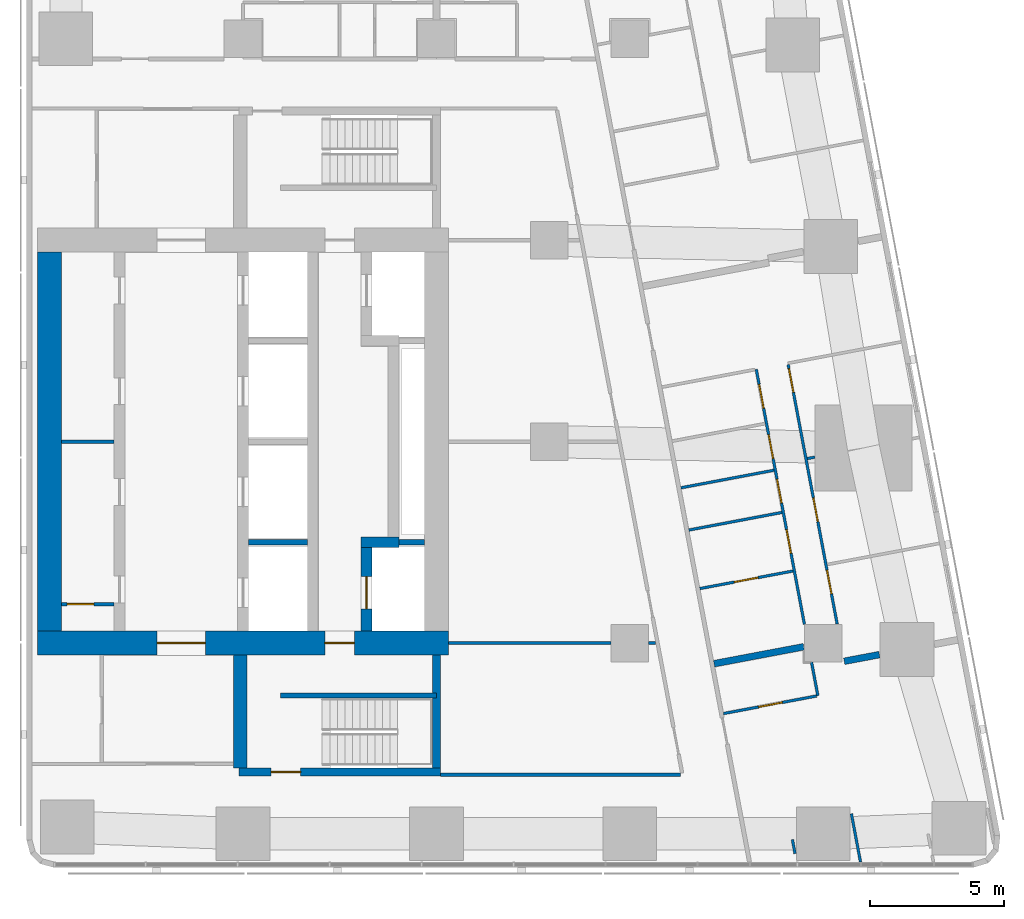
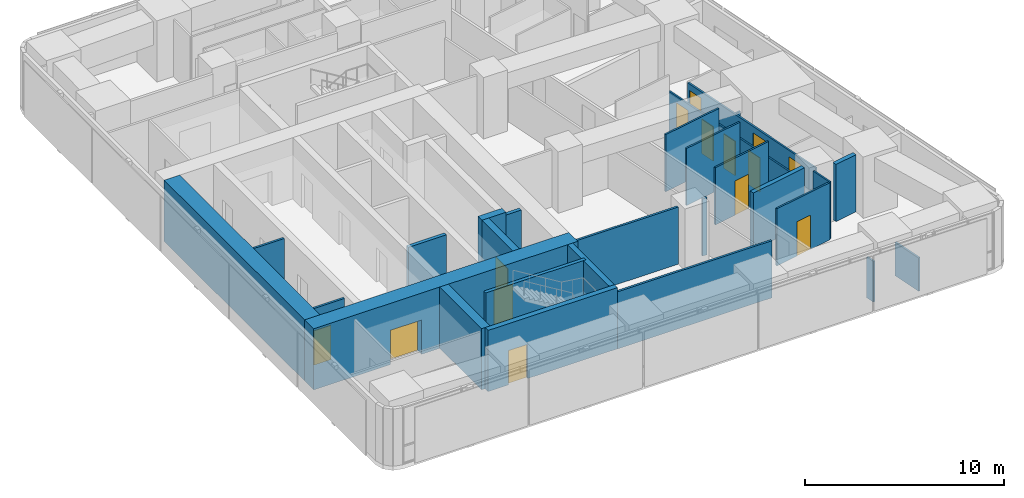
# One storey, part 5 of 11: 27 walls, 14 doors, 14 openings.
"""IFC4 building model written with IfcOpenShell, lengths in metres."""

from ifc_helpers import new_model, si_unit, direction, frame, frame_2d, origin, place, context, subcontext, project, spatial, rectangle, extrude, material, layer, layer_set, type_object, element, fill, save


model = new_model("IFC4")

# Units and contexts
model_context = context("Model", 3, precision=1e-05, world=origin(), true_north=direction((0.0, 1.0)))
body_context = subcontext(model_context, "Body", "Model", "MODEL_VIEW")
ifc_project = project(units=[si_unit("LENGTHUNIT", "METRE"), si_unit("AREAUNIT", "SQUARE_METRE"), si_unit("VOLUMEUNIT", "CUBIC_METRE"), si_unit("PLANEANGLEUNIT", "RADIAN"), si_unit("MASSUNIT", "GRAM", prefix="KILO")], contexts=[model_context])

# Site, building, storey
site_placement = place(None, origin())
site = spatial("IfcSite", under=ifc_project, at=site_placement, CompositionType="ELEMENT")
building_placement = place(site_placement, origin())
building = spatial("IfcBuilding", under=site, at=building_placement, Name="Sheger Commons Tower", CompositionType="ELEMENT")
storey_placement = place(building_placement, frame((0.0, 0.0, 274.10009765625)))
storey = spatial("IfcBuildingStorey", under=building, at=storey_placement, Name="L70", CompositionType="ELEMENT", Elevation=274.10009765625)

# Wall, opening, door
ifc_material_1 = material(Name="Concrete C50/60", Category="concrete")
ifc_layer_1 = layer(ifc_material_1, 0.39990234375)
ifc_layer_set_1 = layer_set([ifc_layer_1], Name="CORE INNER WALL 400")
wall_type_1 = type_object("IfcWallType", Name="CORE INNER WALL 400", PredefinedType="SHEAR", material=ifc_layer_set_1)
wall_1_placement = place(storey_placement, frame((26.199951171875, 15.449951171875, 0.0), z_axis=(0.0, 0.0, 1.0), x_axis=(0.0, 1.0, 0.0)))
wall_1 = element("IfcWall", 1, at=wall_1_placement, inside=storey, type_object=wall_type_1, Name="Core inner wall F L70", PredefinedType="SHEAR", context=body_context, shape_type="SweptSolid", body=[
    extrude(rectangle(XDim=3.10009765625, YDim=0.39990234375, at=frame_2d((1.550048828125, 0.0))), origin(), (0.0, 0.0, 1.0), 3.75),
])
opening_1_placement = place(wall_1_placement, frame((0.824951171875, 0.0, 0.0)))
opening_1 = element("IfcOpeningElement", 2, at=opening_1_placement, cuts=wall_1, Name="Opening LD2", PredefinedType="OPENING", context=body_context, shape_type="SweptSolid", body=[
    extrude(rectangle(XDim=1.199951171875, YDim=2.10009765625, at=frame_2d((0.60009765625, 1.050048828125))), frame((0.0, 0.2099609375, 0.0), z_axis=(0.0, -1.0, 0.0), x_axis=(1.0, 0.0, 0.0)), (0.0, 0.0, 1.0), 0.419921875),
])
ifc_material_2 = material(Name="Steel door set, fire rated", Category="steel")
door_type_1 = type_object("IfcDoorType", Name="FIREFIGHTING LIFT LANDING DOOR 1200x2100", OperationType="DOUBLE_DOOR_SLIDING", PredefinedType="DOOR", material=ifc_material_2)
door_1_placement = place(opening_1_placement, origin())
door_1 = element("IfcDoor", 3, at=door_1_placement, inside=storey, type_object=door_type_1, Name="Lift FL1 landing door", OperationType="DOUBLE_DOOR_SLIDING", OverallHeight=2.10009765625, OverallWidth=1.199951171875, PredefinedType="DOOR", context=body_context, shape_type="SweptSolid", body=[
    extrude(rectangle(XDim=1.199951171875, YDim=2.10009765625, at=frame_2d((0.60009765625, 1.050048828125))), frame((0.0, 0.02490234375, 0.0), z_axis=(0.0, -1.0, 0.0), x_axis=(1.0, 0.0, 0.0)), (0.0, 0.0, 1.0), 0.050048828125),
])
fill(opening_1, door_1)

# Wall
wall_2_placement = place(storey_placement, frame((26.0, 18.75, 0.0), z_axis=(0.0, 0.0, 1.0), x_axis=(1.0, 0.0, 0.0)))
element("IfcWall", 4, at=wall_2_placement, inside=storey, type_object=wall_type_1, Name="Core inner wall F south return L70", PredefinedType="SHEAR", context=body_context, shape_type="SweptSolid", body=[
    extrude(rectangle(XDim=1.39990234375, YDim=0.39990234375, at=frame_2d((0.699951171875, 0.0))), origin(), (0.0, 0.0, 1.0), 3.75),
])

# Wall, openings, doors
ifc_material_3 = material(Name="Concrete C50/60", Category="concrete")
ifc_layer_2 = layer(ifc_material_3, 0.89990234375)
ifc_layer_set_2 = layer_set([ifc_layer_2], Name="CORE WALL 900")
wall_type_2 = type_object("IfcWallType", Name="CORE WALL 900", PredefinedType="SHEAR", material=ifc_layer_set_2)
wall_3_placement = place(storey_placement, frame((13.949951171875, 15.0, 0.0), z_axis=(0.0, 0.0, 1.0), x_axis=(1.0, 0.0, 0.0)))
wall_3 = element("IfcWall", 5, at=wall_3_placement, inside=storey, type_object=wall_type_2, Name="Core wall south L70", PredefinedType="SHEAR", context=body_context, shape_type="SweptSolid", body=[
    extrude(rectangle(XDim=15.300048828125, YDim=0.89990234375, at=frame_2d((7.64990234375, 0.0))), origin(), (0.0, 0.0, 1.0), 3.75),
])
opening_2_placement = place(wall_3_placement, frame((4.449951171875, 0.0, 0.0)))
opening_2 = element("IfcOpeningElement", 6, at=opening_2_placement, cuts=wall_3, Name="Opening D6", PredefinedType="OPENING", context=body_context, shape_type="SweptSolid", body=[
    extrude(rectangle(XDim=1.800048828125, YDim=2.10009765625, at=frame_2d((0.89990234375, 1.050048828125))), frame((0.0, 0.4599609375, 0.0), z_axis=(0.0, -1.0, 0.0), x_axis=(1.0, 0.0, 0.0)), (0.0, 0.0, 1.0), 0.919921875),
])
opening_3_placement = place(wall_3_placement, frame((10.699951171875, 0.0, 0.0)))
opening_3 = element("IfcOpeningElement", 7, at=opening_3_placement, cuts=wall_3, Name="Opening D5", PredefinedType="OPENING", context=body_context, shape_type="SweptSolid", body=[
    extrude(rectangle(XDim=1.10009765625, YDim=2.10009765625, at=frame_2d((0.550048828125, 1.050048828125))), frame((0.0, 0.4599609375, 0.0), z_axis=(0.0, -1.0, 0.0), x_axis=(1.0, 0.0, 0.0)), (0.0, 0.0, 1.0), 0.919921875),
])
ifc_material_4 = material(Name="Steel door set, fire rated", Category="steel")
door_type_2 = type_object("IfcDoorType", Name="LOBBY DOUBLE DOOR 1800x2100", OperationType="DOUBLE_DOOR_SINGLE_SWING", PredefinedType="DOOR", material=ifc_material_4)
door_2_placement = place(opening_2_placement, origin())
door_2 = element("IfcDoor", 8, at=door_2_placement, inside=storey, type_object=door_type_2, Name="Lift lobby door", OperationType="DOUBLE_DOOR_SINGLE_SWING", OverallHeight=2.10009765625, OverallWidth=1.800048828125, PredefinedType="DOOR", context=body_context, shape_type="SweptSolid", body=[
    extrude(rectangle(XDim=1.800048828125, YDim=2.10009765625, at=frame_2d((0.89990234375, 1.050048828125))), frame((0.0, 0.02490234375, 0.0), z_axis=(0.0, -1.0, 0.0), x_axis=(1.0, 0.0, 0.0)), (0.0, 0.0, 1.0), 0.050048828125),
])
fill(opening_2, door_2)
ifc_material_5 = material(Name="Steel door set, fire rated", Category="steel")
door_type_3 = type_object("IfcDoorType", Name="STAIR DOOR 1100x2100", OperationType="NOTDEFINED", PredefinedType="DOOR", material=ifc_material_5)
door_3_placement = place(opening_3_placement, origin())
door_3 = element("IfcDoor", 9, at=door_3_placement, inside=storey, type_object=door_type_3, Name="Fire-fighting lobby door", OperationType="SINGLE_SWING_RIGHT", OverallHeight=2.10009765625, OverallWidth=1.10009765625, PredefinedType="DOOR", context=body_context, shape_type="SweptSolid", body=[
    extrude(rectangle(XDim=1.10009765625, YDim=2.10009765625, at=frame_2d((0.550048828125, 1.050048828125))), frame((0.0, 0.02490234375, 0.0), z_axis=(0.0, -1.0, 0.0), x_axis=(1.0, 0.0, 0.0)), (0.0, 0.0, 1.0), 0.050048828125),
])
fill(opening_3, door_3)

# Walls
wall_4_placement = place(storey_placement, frame((14.39990234375, 15.449951171875, 0.0), z_axis=(0.0, 0.0, 1.0), x_axis=(0.0, 1.0, 0.0)))
element("IfcWall", 10, at=wall_4_placement, inside=storey, type_object=wall_type_2, Name="Core wall west L70", PredefinedType="SHEAR", context=body_context, shape_type="SweptSolid", body=[
    extrude(rectangle(XDim=14.10009765625, YDim=0.89990234375, at=frame_2d((7.050048828125, 0.0))), origin(), (0.0, 0.0, 1.0), 3.75),
])
ifc_material_6 = material(Name="Dense concrete block masonry, plastered both sides (separating wall between flats)", Category="masonry")
ifc_layer_3 = layer(ifc_material_6, 0.25)
ifc_layer_set_3 = layer_set([ifc_layer_3], Name="DEMISING WALL 250")
wall_type_3 = type_object("IfcWallType", Name="DEMISING WALL 250", PredefinedType="SOLIDWALL", material=ifc_layer_set_3)
wall_5_placement = place(storey_placement, frame((45.2900390625, 14.569091796875, 0.0), z_axis=(0.0, 0.0, 1.0), x_axis=(-0.982676759201, -0.185327782391, 0.0)))
element("IfcWall", 11, at=wall_5_placement, inside=storey, type_object=wall_type_3, Name="Demising wall L70", PredefinedType="SOLIDWALL", context=body_context, shape_type="SweptSolid", body=[
    extrude(rectangle(XDim=1.333251953125, YDim=0.25, at=frame_2d((0.66650390625, 0.0))), origin(), (0.0, 0.0, 1.0), 3.5),
])
wall_6_placement = place(storey_placement, frame((42.47607421875, 14.863037109375, 0.0), z_axis=(0.0, 0.0, 1.0), x_axis=(-0.982603567712, -0.185715450942, 0.0)))
element("IfcWall", 12, at=wall_6_placement, inside=storey, type_object=wall_type_3, Name="Demising wall L70", PredefinedType="SOLIDWALL", context=body_context, shape_type="SweptSolid", body=[
    extrude(rectangle(XDim=3.398193359375, YDim=0.25, at=frame_2d((1.69921875, 0.0))), origin(), (0.0, 0.0, 1.0), 3.5),
])
ifc_material_7 = material(Name="Gypsum board on steel studs", Category="steel")
ifc_layer_4 = layer(ifc_material_7, 0.10009765625)
ifc_layer_set_4 = layer_set([ifc_layer_4], Name="PARTITION 100")
wall_type_4 = type_object("IfcWallType", Name="PARTITION 100", PredefinedType="PARTITIONING", material=ifc_layer_set_4)
wall_7_placement = place(storey_placement, frame((44.248046875, 8.64599609375, 0.0), z_axis=(0.0, 0.0, 1.0), x_axis=(0.185417594585, -0.982659816833, 0.0)))
element("IfcWall", 13, at=wall_7_placement, inside=storey, type_object=wall_type_4, Name="Partition L70", PredefinedType="PARTITIONING", context=body_context, shape_type="SweptSolid", body=[
    extrude(rectangle(XDim=1.82763671875, YDim=0.10009765625, at=frame_2d((0.913818359375, 0.0))), origin(), (0.0, 0.0, 1.0), 2.0498046875),
])
wall_8_placement = place(storey_placement, frame((42.15087890625, 7.159912109375, 0.0), z_axis=(0.0, 0.0, 1.0), x_axis=(-0.185366164644, 0.982669519729, 0.0)))
element("IfcWall", 14, at=wall_8_placement, inside=storey, type_object=wall_type_4, Name="Partition L70", PredefinedType="PARTITIONING", context=body_context, shape_type="SweptSolid", body=[
    extrude(rectangle(XDim=0.533447265625, YDim=0.10009765625, at=frame_2d((0.2666015625, 0.0))), origin(), (0.0, 0.0, 1.0), 2.5),
])

# Wall, openings, doors
wall_9_placement = place(storey_placement, frame((41.89404296875, 25.365966796875, 0.0), z_axis=(0.0, 0.0, 1.0), x_axis=(0.185612905165, -0.982622943675, 0.0)))
wall_9 = element("IfcWall", 15, at=wall_9_placement, inside=storey, type_object=wall_type_4, Name="Partition L70", PredefinedType="PARTITIONING", context=body_context, shape_type="SweptSolid", body=[
    extrude(rectangle(XDim=9.82666015625, YDim=0.10009765625, at=frame_2d((4.913330078125, 0.0))), origin(), (0.0, 0.0, 1.0), 2.5),
])
opening_4_placement = place(wall_9_placement, frame((0.15087890625, 0.0, 0.0)))
opening_4 = element("IfcOpeningElement", 16, at=opening_4_placement, cuts=wall_9, Name="Opening D2", PredefinedType="OPENING", context=body_context, shape_type="SweptSolid", body=[
    extrude(rectangle(XDim=0.89990234375, YDim=2.10009765625, at=frame_2d((0.449951171875, 1.050048828125))), frame((0.0, 0.06005859375, 0.0), z_axis=(0.0, -1.0, 0.0), x_axis=(1.0, 0.0, 0.0)), (0.0, 0.0, 1.0), 0.1201171875),
])
opening_5_placement = place(wall_9_placement, frame((5.050048828125, 0.0, 0.0)))
opening_5 = element("IfcOpeningElement", 17, at=opening_5_placement, cuts=wall_9, Name="Opening D2", PredefinedType="OPENING", context=body_context, shape_type="SweptSolid", body=[
    extrude(rectangle(XDim=0.89990234375, YDim=2.10009765625, at=frame_2d((0.449951171875, 1.050048828125))), frame((0.0, 0.06005859375, 0.0), z_axis=(0.0, -1.0, 0.0), x_axis=(1.0, 0.0, 0.0)), (0.0, 0.0, 1.0), 0.1201171875),
])
opening_6_placement = place(wall_9_placement, frame((7.782958984375, 0.0, 0.0)))
opening_6 = element("IfcOpeningElement", 18, at=opening_6_placement, cuts=wall_9, Name="Opening D2", PredefinedType="OPENING", context=body_context, shape_type="SweptSolid", body=[
    extrude(rectangle(XDim=0.89990234375, YDim=2.10009765625, at=frame_2d((0.449951171875, 1.050048828125))), frame((0.0, 0.06005859375, 0.0), z_axis=(0.0, -1.0, 0.0), x_axis=(1.0, 0.0, 0.0)), (0.0, 0.0, 1.0), 0.1201171875),
])
ifc_material_8 = material(Name="Timber door set", Category="wood")
door_type_4 = type_object("IfcDoorType", Name="INTERNAL DOOR 900x2100", OperationType="NOTDEFINED", PredefinedType="DOOR", material=ifc_material_8)
door_4_placement = place(opening_4_placement, origin())
door_4 = element("IfcDoor", 19, at=door_4_placement, inside=storey, type_object=door_type_4, Name="Main bedroom door", OperationType="SINGLE_SWING_LEFT", OverallHeight=2.10009765625, OverallWidth=0.89990234375, PredefinedType="DOOR", context=body_context, shape_type="SweptSolid", body=[
    extrude(rectangle(XDim=0.89990234375, YDim=2.10009765625, at=frame_2d((0.449951171875, 1.050048828125))), frame((0.0, 0.02490234375, 0.0), z_axis=(0.0, -1.0, 0.0), x_axis=(1.0, 0.0, 0.0)), (0.0, 0.0, 1.0), 0.050048828125),
])
fill(opening_4, door_4)
door_5_placement = place(opening_5_placement, origin())
door_5 = element("IfcDoor", 20, at=door_5_placement, inside=storey, type_object=door_type_4, Name="Bedroom 2 door", OperationType="SINGLE_SWING_LEFT", OverallHeight=2.10009765625, OverallWidth=0.89990234375, PredefinedType="DOOR", context=body_context, shape_type="SweptSolid", body=[
    extrude(rectangle(XDim=0.89990234375, YDim=2.10009765625, at=frame_2d((0.449951171875, 1.050048828125))), frame((0.0, 0.02490234375, 0.0), z_axis=(0.0, -1.0, 0.0), x_axis=(1.0, 0.0, 0.0)), (0.0, 0.0, 1.0), 0.050048828125),
])
fill(opening_5, door_5)
door_6_placement = place(opening_6_placement, origin())
door_6 = element("IfcDoor", 21, at=door_6_placement, inside=storey, type_object=door_type_4, Name="Bedroom 3 door", OperationType="SINGLE_SWING_LEFT", OverallHeight=2.10009765625, OverallWidth=0.89990234375, PredefinedType="DOOR", context=body_context, shape_type="SweptSolid", body=[
    extrude(rectangle(XDim=0.89990234375, YDim=2.10009765625, at=frame_2d((0.449951171875, 1.050048828125))), frame((0.0, 0.02490234375, 0.0), z_axis=(0.0, -1.0, 0.0), x_axis=(1.0, 0.0, 0.0)), (0.0, 0.0, 1.0), 0.050048828125),
])
fill(opening_6, door_6)

wall_10_placement = place(storey_placement, frame((40.7060546875, 25.19189453125, 0.0), z_axis=(0.0, 0.0, 1.0), x_axis=(0.185629824463, -0.982619747547, 0.0)))
wall_10 = element("IfcWall", 22, at=wall_10_placement, inside=storey, type_object=wall_type_4, Name="Partition L70", PredefinedType="PARTITIONING", context=body_context, shape_type="SweptSolid", body=[
    extrude(rectangle(XDim=9.658935546875, YDim=0.10009765625, at=frame_2d((4.82958984375, 0.0))), origin(), (0.0, 0.0, 1.0), 2.5),
])
opening_7_placement = place(wall_10_placement, frame((0.574951171875, 0.0, 0.0)))
opening_7 = element("IfcOpeningElement", 23, at=opening_7_placement, cuts=wall_10, Name="Opening D2", PredefinedType="OPENING", context=body_context, shape_type="SweptSolid", body=[
    extrude(rectangle(XDim=0.89990234375, YDim=2.10009765625, at=frame_2d((0.449951171875, 1.050048828125))), frame((0.0, 0.06005859375, 0.0), z_axis=(0.0, -1.0, 0.0), x_axis=(1.0, 0.0, 0.0)), (0.0, 0.0, 1.0), 0.1201171875),
])
opening_8_placement = place(wall_10_placement, frame((4.166015625, 0.0, 0.0)))
opening_8 = element("IfcOpeningElement", 24, at=opening_8_placement, cuts=wall_10, Name="Opening D2", PredefinedType="OPENING", context=body_context, shape_type="SweptSolid", body=[
    extrude(rectangle(XDim=0.89990234375, YDim=2.10009765625, at=frame_2d((0.449951171875, 1.050048828125))), frame((0.0, 0.06005859375, 0.0), z_axis=(0.0, -1.0, 0.0), x_axis=(1.0, 0.0, 0.0)), (0.0, 0.0, 1.0), 0.1201171875),
])
opening_9_placement = place(wall_10_placement, frame((2.48291015625, 0.0, 0.0)))
opening_9 = element("IfcOpeningElement", 25, at=opening_9_placement, cuts=wall_10, Name="Opening D2", PredefinedType="OPENING", context=body_context, shape_type="SweptSolid", body=[
    extrude(rectangle(XDim=0.89990234375, YDim=2.10009765625, at=frame_2d((0.449951171875, 1.050048828125))), frame((0.0, 0.06005859375, 0.0), z_axis=(0.0, -1.0, 0.0), x_axis=(1.0, 0.0, 0.0)), (0.0, 0.0, 1.0), 0.1201171875),
])
opening_10_placement = place(wall_10_placement, frame((6.073974609375, 0.0, 0.0)))
opening_10 = element("IfcOpeningElement", 26, at=opening_10_placement, cuts=wall_10, Name="Opening D2", PredefinedType="OPENING", context=body_context, shape_type="SweptSolid", body=[
    extrude(rectangle(XDim=0.89990234375, YDim=2.10009765625, at=frame_2d((0.449951171875, 1.050048828125))), frame((0.0, 0.06005859375, 0.0), z_axis=(0.0, -1.0, 0.0), x_axis=(1.0, 0.0, 0.0)), (0.0, 0.0, 1.0), 0.1201171875),
])
door_7_placement = place(opening_7_placement, origin())
door_7 = element("IfcDoor", 27, at=door_7_placement, inside=storey, type_object=door_type_4, Name="Bathroom door", OperationType="SINGLE_SWING_RIGHT", OverallHeight=2.10009765625, OverallWidth=0.89990234375, PredefinedType="DOOR", context=body_context, shape_type="SweptSolid", body=[
    extrude(rectangle(XDim=0.89990234375, YDim=2.10009765625, at=frame_2d((0.449951171875, 1.050048828125))), frame((0.0, 0.02490234375, 0.0), z_axis=(0.0, -1.0, 0.0), x_axis=(1.0, 0.0, 0.0)), (0.0, 0.0, 1.0), 0.050048828125),
])
fill(opening_7, door_7)
door_8_placement = place(opening_8_placement, origin())
door_8 = element("IfcDoor", 28, at=door_8_placement, inside=storey, type_object=door_type_4, Name="Shower room door", OperationType="SINGLE_SWING_RIGHT", OverallHeight=2.10009765625, OverallWidth=0.89990234375, PredefinedType="DOOR", context=body_context, shape_type="SweptSolid", body=[
    extrude(rectangle(XDim=0.89990234375, YDim=2.10009765625, at=frame_2d((0.449951171875, 1.050048828125))), frame((0.0, 0.02490234375, 0.0), z_axis=(0.0, -1.0, 0.0), x_axis=(1.0, 0.0, 0.0)), (0.0, 0.0, 1.0), 0.050048828125),
])
fill(opening_8, door_8)
door_9_placement = place(opening_9_placement, origin())
door_9 = element("IfcDoor", 29, at=door_9_placement, inside=storey, type_object=door_type_4, Name="Store door", OperationType="SINGLE_SWING_RIGHT", OverallHeight=2.10009765625, OverallWidth=0.89990234375, PredefinedType="DOOR", context=body_context, shape_type="SweptSolid", body=[
    extrude(rectangle(XDim=0.89990234375, YDim=2.10009765625, at=frame_2d((0.449951171875, 1.050048828125))), frame((0.0, 0.02490234375, 0.0), z_axis=(0.0, -1.0, 0.0), x_axis=(1.0, 0.0, 0.0)), (0.0, 0.0, 1.0), 0.050048828125),
])
fill(opening_9, door_9)
door_10_placement = place(opening_10_placement, origin())
door_10 = element("IfcDoor", 30, at=door_10_placement, inside=storey, type_object=door_type_4, Name="Store door", OperationType="SINGLE_SWING_LEFT", OverallHeight=2.10009765625, OverallWidth=0.89990234375, PredefinedType="DOOR", context=body_context, shape_type="SweptSolid", body=[
    extrude(rectangle(XDim=0.89990234375, YDim=2.10009765625, at=frame_2d((0.449951171875, 1.050048828125))), frame((0.0, 0.02490234375, 0.0), z_axis=(0.0, -1.0, 0.0), x_axis=(1.0, 0.0, 0.0)), (0.0, 0.0, 1.0), 0.050048828125),
])
fill(opening_10, door_10)

# Walls
wall_11_placement = place(storey_placement, frame((42.886962890625, 21.9208984375, 0.0), z_axis=(0.0, 0.0, 1.0), x_axis=(-0.982688058078, -0.185267861514, 0.0)))
element("IfcWall", 31, at=wall_11_placement, inside=storey, type_object=wall_type_4, Name="Partition L70", PredefinedType="PARTITIONING", context=body_context, shape_type="SweptSolid", body=[
    extrude(rectangle(XDim=0.285888671875, YDim=0.10009765625, at=frame_2d((0.14306640625, 0.0))), origin(), (0.0, 0.0, 1.0), 2.5),
])
wall_12_placement = place(storey_placement, frame((41.364990234375, 21.43310546875, 0.0), z_axis=(0.0, 0.0, 1.0), x_axis=(-0.982638553676, -0.185530247748, 0.0)))
element("IfcWall", 32, at=wall_12_placement, inside=storey, type_object=wall_type_4, Name="Partition L70", PredefinedType="PARTITIONING", context=body_context, shape_type="SweptSolid", body=[
    extrude(rectangle(XDim=3.525390625, YDim=0.10009765625, at=frame_2d((1.7626953125, 0.0))), origin(), (0.0, 0.0, 1.0), 3.5),
])

# Wall, opening, door
wall_13_placement = place(storey_placement, frame((42.072998046875, 17.681884765625, 0.0), z_axis=(0.0, 0.0, 1.0), x_axis=(-0.98265117712, -0.185463376723, 0.0)))
wall_13 = element("IfcWall", 33, at=wall_13_placement, inside=storey, type_object=wall_type_4, Name="Partition L70", PredefinedType="PARTITIONING", context=body_context, shape_type="SweptSolid", body=[
    extrude(rectangle(XDim=3.525390625, YDim=0.10009765625, at=frame_2d((1.7626953125, 0.0))), origin(), (0.0, 0.0, 1.0), 3.5),
])
opening_11_placement = place(wall_13_placement, frame((1.324951171875, 0.0, 0.0)))
opening_11 = element("IfcOpeningElement", 34, at=opening_11_placement, cuts=wall_13, Name="Opening D2", PredefinedType="OPENING", context=body_context, shape_type="SweptSolid", body=[
    extrude(rectangle(XDim=0.89990234375, YDim=2.10009765625, at=frame_2d((0.449951171875, 1.050048828125))), frame((0.0, 0.06005859375, 0.0), z_axis=(0.0, -1.0, 0.0), x_axis=(1.0, 0.0, 0.0)), (0.0, 0.0, 1.0), 0.1201171875),
])
door_11_placement = place(opening_11_placement, origin())
door_11 = element("IfcDoor", 35, at=door_11_placement, inside=storey, type_object=door_type_4, Name="Store door", OperationType="SINGLE_SWING_RIGHT", OverallHeight=2.10009765625, OverallWidth=0.89990234375, PredefinedType="DOOR", context=body_context, shape_type="SweptSolid", body=[
    extrude(rectangle(XDim=0.89990234375, YDim=2.10009765625, at=frame_2d((0.449951171875, 1.050048828125))), frame((0.0, 0.02490234375, 0.0), z_axis=(0.0, -1.0, 0.0), x_axis=(1.0, 0.0, 0.0)), (0.0, 0.0, 1.0), 0.050048828125),
])
fill(opening_11, door_11)

# Walls
wall_14_placement = place(storey_placement, frame((41.662109375, 19.861083984375, 0.0), z_axis=(0.0, 0.0, 1.0), x_axis=(-0.982588017646, -0.185797706064, 0.0)))
element("IfcWall", 36, at=wall_14_placement, inside=storey, type_object=wall_type_4, Name="Partition L70", PredefinedType="PARTITIONING", context=body_context, shape_type="SweptSolid", body=[
    extrude(rectangle(XDim=3.525390625, YDim=0.10009765625, at=frame_2d((1.7626953125, 0.0))), origin(), (0.0, 0.0, 1.0), 3.5),
])
wall_15_placement = place(storey_placement, frame((42.764892578125, 14.2900390625, 0.0), z_axis=(0.0, 0.0, 1.0), x_axis=(0.185446293138, -0.982654401283, 0.0)))
element("IfcWall", 37, at=wall_15_placement, inside=storey, type_object=wall_type_4, Name="Partition L70", PredefinedType="PARTITIONING", context=body_context, shape_type="SweptSolid", body=[
    extrude(rectangle(XDim=1.27294921875, YDim=0.10009765625, at=frame_2d((0.636474609375, 0.0))), origin(), (0.0, 0.0, 1.0), 3.5),
])

# Wall, opening, door
wall_16_placement = place(storey_placement, frame((42.951904296875, 13.030029296875, 0.0), z_axis=(0.0, 0.0, 1.0), x_axis=(-0.982585626838, -0.185810349366, 0.0)))
wall_16 = element("IfcWall", 38, at=wall_16_placement, inside=storey, type_object=wall_type_4, Name="Partition L70", PredefinedType="PARTITIONING", context=body_context, shape_type="SweptSolid", body=[
    extrude(rectangle(XDim=3.525146484375, YDim=0.10009765625, at=frame_2d((1.7626953125, 0.0))), origin(), (0.0, 0.0, 1.0), 3.5),
])
opening_12_placement = place(wall_16_placement, frame((1.299072265625, 0.0, 0.0)))
opening_12 = element("IfcOpeningElement", 39, at=opening_12_placement, cuts=wall_16, Name="Opening D2", PredefinedType="OPENING", context=body_context, shape_type="SweptSolid", body=[
    extrude(rectangle(XDim=0.89990234375, YDim=2.10009765625, at=frame_2d((0.449951171875, 1.050048828125))), frame((0.0, 0.06005859375, 0.0), z_axis=(0.0, -1.0, 0.0), x_axis=(1.0, 0.0, 0.0)), (0.0, 0.0, 1.0), 0.1201171875),
])
door_12_placement = place(opening_12_placement, origin())
door_12 = element("IfcDoor", 40, at=door_12_placement, inside=storey, type_object=door_type_4, Name="Shower room door", OperationType="SINGLE_SWING_RIGHT", OverallHeight=2.10009765625, OverallWidth=0.89990234375, PredefinedType="DOOR", context=body_context, shape_type="SweptSolid", body=[
    extrude(rectangle(XDim=0.89990234375, YDim=2.10009765625, at=frame_2d((0.449951171875, 1.050048828125))), frame((0.0, 0.02490234375, 0.0), z_axis=(0.0, -1.0, 0.0), x_axis=(1.0, 0.0, 0.0)), (0.0, 0.0, 1.0), 0.050048828125),
])
fill(opening_12, door_12)

# Walls
ifc_material_9 = material(Name="Gypsum board on steel studs, two layers each side, fire rated", Category="steel")
ifc_layer_5 = layer(ifc_material_9, 0.125)
ifc_layer_set_5 = layer_set([ifc_layer_5], Name="SERVICE WALL 125")
wall_type_5 = type_object("IfcWallType", Name="SERVICE WALL 125", PredefinedType="PARTITIONING", material=ifc_layer_set_5)
wall_17_placement = place(storey_placement, frame((28.949951171875, 10.10009765625, 0.0), z_axis=(0.0, 0.0, 1.0), x_axis=(1.0, 0.0, 0.0)))
element("IfcWall", 41, at=wall_17_placement, inside=storey, type_object=wall_type_5, Name="Service room wall L70", PredefinedType="PARTITIONING", context=body_context, shape_type="SweptSolid", body=[
    extrude(rectangle(XDim=8.93310546875, YDim=0.125, at=frame_2d((4.466552734375, 0.0))), origin(), (0.0, 0.0, 1.0), 3.5),
])
wall_18_placement = place(storey_placement, frame((29.25, 15.0, 0.0), z_axis=(0.0, 0.0, 1.0), x_axis=(1.0, 0.0, 0.0)))
element("IfcWall", 42, at=wall_18_placement, inside=storey, type_object=wall_type_5, Name="Service room wall L70", PredefinedType="PARTITIONING", context=body_context, shape_type="SweptSolid", body=[
    extrude(rectangle(XDim=6.049072265625, YDim=0.125, at=frame_2d((3.0244140625, 0.0))), origin(), (0.0, 0.0, 1.0), 3.5),
])
wall_19_placement = place(storey_placement, frame((36.700927734375, 15.0, 0.0), z_axis=(0.0, 0.0, 1.0), x_axis=(1.0, 0.0, 0.0)))
element("IfcWall", 43, at=wall_19_placement, inside=storey, type_object=wall_type_5, Name="Service room wall L70", PredefinedType="PARTITIONING", context=body_context, shape_type="SweptSolid", body=[
    extrude(rectangle(XDim=0.257080078125, YDim=0.125, at=frame_2d((0.12841796875, 0.0))), origin(), (0.0, 0.0, 1.0), 3.5),
])

# Wall, opening, door
wall_20_placement = place(storey_placement, frame((14.85009765625, 16.449951171875, 0.0), z_axis=(0.0, 0.0, 1.0), x_axis=(1.0, 0.0, 0.0)))
wall_20 = element("IfcWall", 44, at=wall_20_placement, inside=storey, type_object=wall_type_5, Name="Service room wall L70", PredefinedType="PARTITIONING", context=body_context, shape_type="SweptSolid", body=[
    extrude(rectangle(XDim=1.949951171875, YDim=0.125, at=frame_2d((0.97509765625, 0.0))), origin(), (0.0, 0.0, 1.0), 3.5),
])
opening_13_placement = place(wall_20_placement, frame((0.199951171875, 0.0, 0.0)))
opening_13 = element("IfcOpeningElement", 45, at=opening_13_placement, cuts=wall_20, Name="Opening D4", PredefinedType="OPENING", context=body_context, shape_type="SweptSolid", body=[
    extrude(rectangle(XDim=1.0, YDim=2.10009765625, at=frame_2d((0.5, 1.050048828125))), frame((0.0, 0.072509765625, 0.0), z_axis=(0.0, -1.0, 0.0), x_axis=(1.0, 0.0, 0.0)), (0.0, 0.0, 1.0), 0.14501953125),
])
ifc_material_10 = material(Name="Steel door set, fire rated", Category="steel")
door_type_5 = type_object("IfcDoorType", Name="SERVICE DOOR 1000x2100", OperationType="NOTDEFINED", PredefinedType="DOOR", material=ifc_material_10)
door_13_placement = place(opening_13_placement, origin())
door_13 = element("IfcDoor", 46, at=door_13_placement, inside=storey, type_object=door_type_5, Name="Electrical riser door", OperationType="SINGLE_SWING_RIGHT", OverallHeight=2.10009765625, OverallWidth=1.0, PredefinedType="DOOR", context=body_context, shape_type="SweptSolid", body=[
    extrude(rectangle(XDim=1.0, YDim=2.10009765625, at=frame_2d((0.5, 1.050048828125))), frame((0.0, 0.02490234375, 0.0), z_axis=(0.0, -1.0, 0.0), x_axis=(1.0, 0.0, 0.0)), (0.0, 0.0, 1.0), 0.050048828125),
])
fill(opening_13, door_13)

# Walls
wall_21_placement = place(storey_placement, frame((14.85009765625, 22.5, 0.0), z_axis=(0.0, 0.0, 1.0), x_axis=(1.0, 0.0, 0.0)))
element("IfcWall", 47, at=wall_21_placement, inside=storey, type_object=wall_type_5, Name="Service room wall L70", PredefinedType="PARTITIONING", context=body_context, shape_type="SweptSolid", body=[
    extrude(rectangle(XDim=1.949951171875, YDim=0.125, at=frame_2d((0.97509765625, 0.0))), origin(), (0.0, 0.0, 1.0), 3.5),
])
ifc_material_11 = material(Name="Hollow concrete block masonry", Category="masonry")
ifc_layer_6 = layer(ifc_material_11, 0.199951171875)
ifc_layer_set_6 = layer_set([ifc_layer_6], Name="SHAFT WALL 200")
wall_type_6 = type_object("IfcWallType", Name="SHAFT WALL 200", PredefinedType="SOLIDWALL", material=ifc_layer_set_6)
wall_22_placement = place(storey_placement, frame((21.800048828125, 18.75, 0.0), z_axis=(0.0, 0.0, 1.0), x_axis=(1.0, 0.0, 0.0)))
element("IfcWall", 48, at=wall_22_placement, inside=storey, type_object=wall_type_6, Name="Lift shaft wall L70", PredefinedType="SOLIDWALL", context=body_context, shape_type="SweptSolid", body=[
    extrude(rectangle(XDim=2.199951171875, YDim=0.199951171875, at=frame_2d((1.10009765625, 0.0))), origin(), (0.0, 0.0, 1.0), 3.5),
])
wall_23_placement = place(storey_placement, frame((27.39990234375, 18.75, 0.0), z_axis=(0.0, 0.0, 1.0), x_axis=(1.0, 0.0, 0.0)))
element("IfcWall", 49, at=wall_23_placement, inside=storey, type_object=wall_type_6, Name="Lift shaft wall L70", PredefinedType="SOLIDWALL", context=body_context, shape_type="SweptSolid", body=[
    extrude(rectangle(XDim=0.9501953125, YDim=0.199951171875, at=frame_2d((0.47509765625, 0.0))), origin(), (0.0, 0.0, 1.0), 3.5),
])

# Wall, opening, door
ifc_material_12 = material(Name="Concrete C50/60", Category="concrete")
ifc_layer_7 = layer(ifc_material_12, 0.300048828125)
ifc_layer_set_7 = layer_set([ifc_layer_7], Name="STAIR CORE WALL 300")
wall_type_7 = type_object("IfcWallType", Name="STAIR CORE WALL 300", PredefinedType="SHEAR", material=ifc_layer_set_7)
wall_24_placement = place(storey_placement, frame((21.449951171875, 10.199951171875, 0.0), z_axis=(0.0, 0.0, 1.0), x_axis=(1.0, 0.0, 0.0)))
wall_24 = element("IfcWall", 50, at=wall_24_placement, inside=storey, type_object=wall_type_7, Name="STW-L70-S1S", PredefinedType="SHEAR", context=body_context, shape_type="SweptSolid", body=[
    extrude(rectangle(XDim=7.5, YDim=0.300048828125, at=frame_2d((3.75, 0.0))), origin(), (0.0, 0.0, 1.0), 3.75),
])
opening_14_placement = place(wall_24_placement, frame((1.199951171875, 0.0, 0.0)))
opening_14 = element("IfcOpeningElement", 51, at=opening_14_placement, cuts=wall_24, Name="Opening D5", PredefinedType="OPENING", context=body_context, shape_type="SweptSolid", body=[
    extrude(rectangle(XDim=1.10009765625, YDim=2.10009765625, at=frame_2d((0.550048828125, 1.050048828125))), frame((0.0, 0.159912109375, 0.0), z_axis=(0.0, -1.0, 0.0), x_axis=(1.0, 0.0, 0.0)), (0.0, 0.0, 1.0), 0.320068359375),
])
door_14_placement = place(opening_14_placement, origin())
door_14 = element("IfcDoor", 52, at=door_14_placement, inside=storey, type_object=door_type_3, Name="Stair S1 door", OperationType="SINGLE_SWING_LEFT", OverallHeight=2.10009765625, OverallWidth=1.10009765625, PredefinedType="DOOR", context=body_context, shape_type="SweptSolid", body=[
    extrude(rectangle(XDim=1.10009765625, YDim=2.10009765625, at=frame_2d((0.550048828125, 1.050048828125))), frame((0.0, 0.02490234375, 0.0), z_axis=(0.0, -1.0, 0.0), x_axis=(1.0, 0.0, 0.0)), (0.0, 0.0, 1.0), 0.050048828125),
])
fill(opening_14, door_14)

# Walls
wall_25_placement = place(storey_placement, frame((28.800048828125, 10.35009765625, 0.0), z_axis=(0.0, 0.0, 1.0), x_axis=(0.0, 1.0, 0.0)))
element("IfcWall", 53, at=wall_25_placement, inside=storey, type_object=wall_type_7, Name="STW-L70-S1E", PredefinedType="SHEAR", context=body_context, shape_type="SweptSolid", body=[
    extrude(rectangle(XDim=4.199951171875, YDim=0.300048828125, at=frame_2d((2.10009765625, 0.0))), origin(), (0.0, 0.0, 1.0), 3.75),
])
ifc_material_13 = material(Name="Concrete C50/60", Category="concrete")
ifc_layer_8 = layer(ifc_material_13, 0.5)
ifc_layer_set_8 = layer_set([ifc_layer_8], Name="STAIR CORE WALL 500")
wall_type_8 = type_object("IfcWallType", Name="STAIR CORE WALL 500", PredefinedType="SHEAR", material=ifc_layer_set_8)
wall_26_placement = place(storey_placement, frame((21.5, 10.35009765625, 0.0), z_axis=(0.0, 0.0, 1.0), x_axis=(0.0, 1.0, 0.0)))
element("IfcWall", 54, at=wall_26_placement, inside=storey, type_object=wall_type_8, Name="STW-L70-S1W", PredefinedType="SHEAR", context=body_context, shape_type="SweptSolid", body=[
    extrude(rectangle(XDim=4.199951171875, YDim=0.5, at=frame_2d((2.10009765625, 0.0))), origin(), (0.0, 0.0, 1.0), 3.75),
])
ifc_material_14 = material(Name="Concrete C50/60", Category="concrete")
ifc_layer_9 = layer(ifc_material_14, 0.199951171875)
ifc_layer_set_9 = layer_set([ifc_layer_9], Name="STAIR SPINE WALL 200")
wall_type_9 = type_object("IfcWallType", Name="STAIR SPINE WALL 200", PredefinedType="SHEAR", material=ifc_layer_set_9)
wall_27_placement = place(storey_placement, frame((23.0, 13.050048828125, 0.0), z_axis=(0.0, 0.0, 1.0), x_axis=(1.0, 0.0, 0.0)))
element("IfcWall", 55, at=wall_27_placement, inside=storey, type_object=wall_type_9, Name="Stair spine wall L70", PredefinedType="SHEAR", context=body_context, shape_type="SweptSolid", body=[
    extrude(rectangle(XDim=5.800048828125, YDim=0.199951171875, at=frame_2d((2.89990234375, 0.0))), origin(), (0.0, 0.0, 1.0), 3.75),
])

save(model, "model.ifc")
